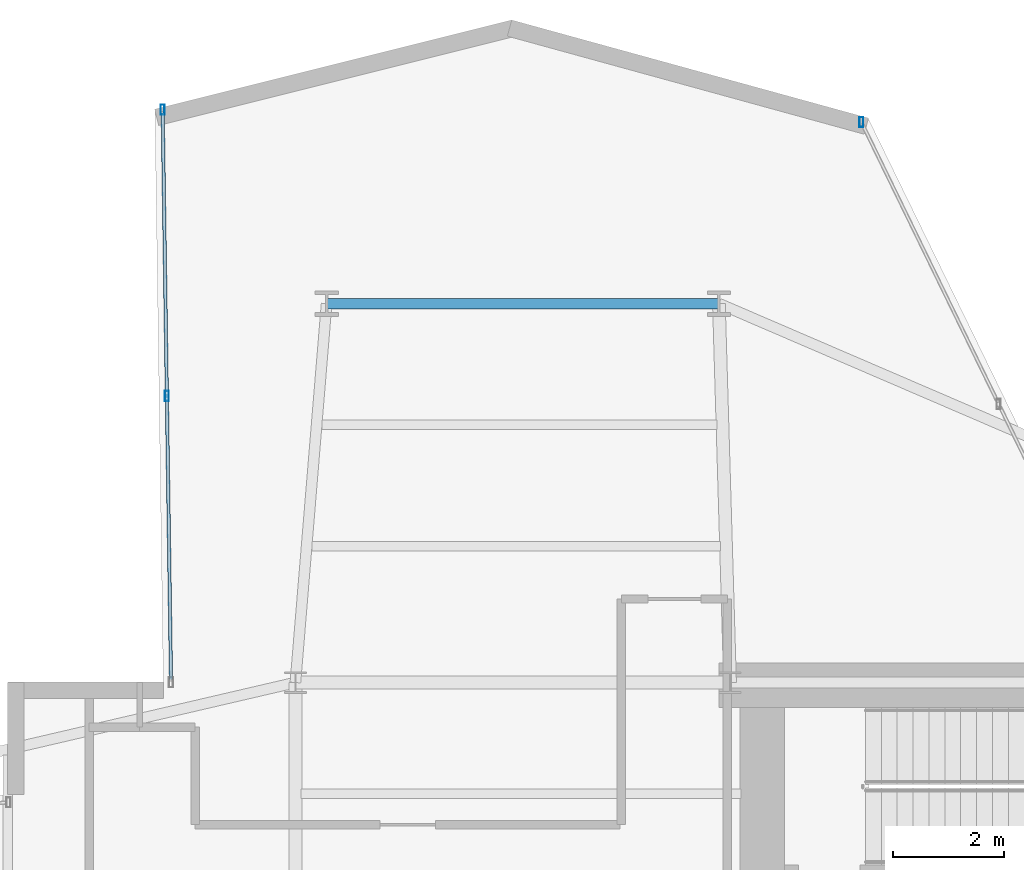
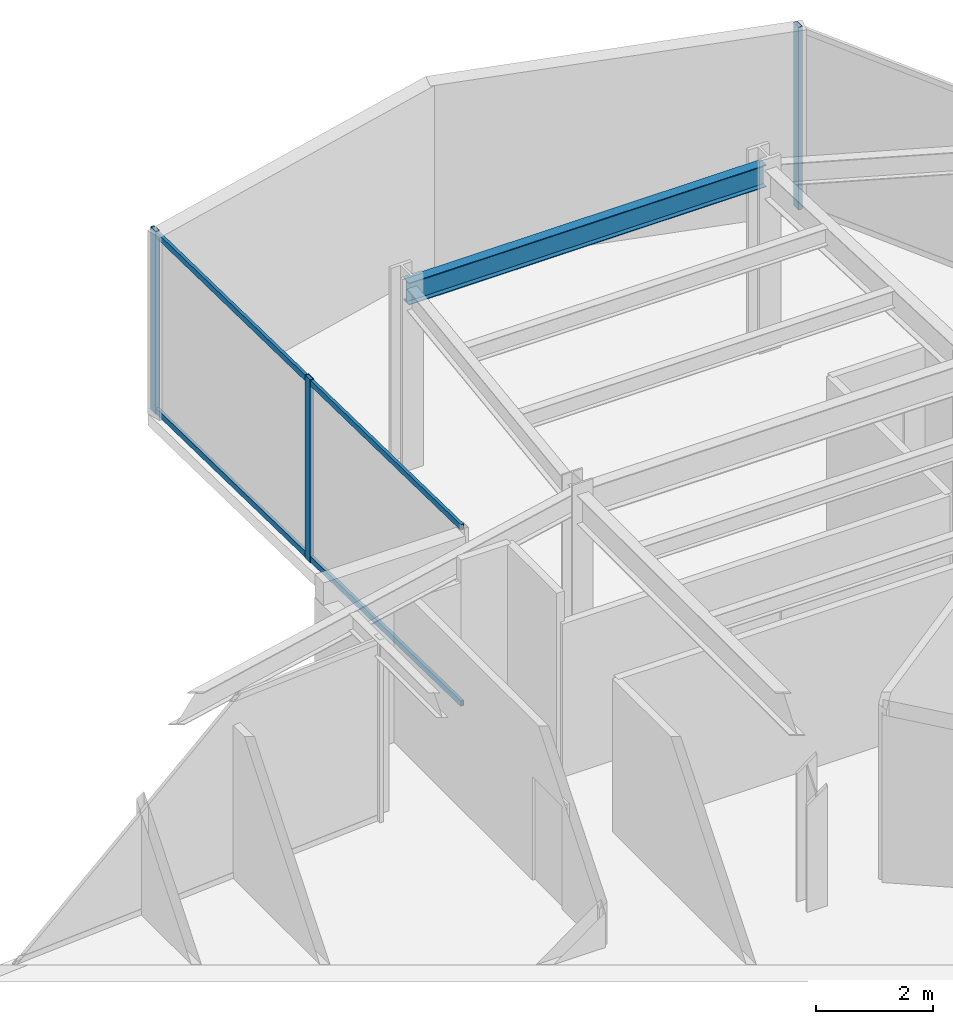
# One storey, part 18 of 25: 5 members, 1 beam, 2 elements without a shape of their own.
"""IFC4 building model written with IfcOpenShell, lengths in metres."""

from ifc_helpers import new_model, si_unit, direction, frame, origin, origin_2d, place, context, subcontext, project, spatial, hollow_rectangle, i_section, extrude, material, layer, layer_set, material_profile, profile_set, type_object, element, aggregate, save


model = new_model("IFC4")

# Units and contexts
model_context = context("Model", 3, precision=1e-05, world=origin(), true_north=direction((0.0, 1.0)))
body_context = subcontext(model_context, "Body", "Model", "MODEL_VIEW")
ifc_project = project(units=[si_unit("LENGTHUNIT", "METRE"), si_unit("AREAUNIT", "SQUARE_METRE"), si_unit("VOLUMEUNIT", "CUBIC_METRE"), si_unit("PLANEANGLEUNIT", "RADIAN"), si_unit("MASSUNIT", "GRAM", prefix="KILO")], contexts=[model_context])

# Site, building, storey
site_placement = place(None, origin())
site = spatial("IfcSite", under=ifc_project, at=site_placement, CompositionType="ELEMENT")
building_placement = place(site_placement, origin())
building = spatial("IfcBuilding", under=site, at=building_placement, Name="Veymaron Broadcast Tower", CompositionType="ELEMENT")
storey_placement = place(building_placement, frame((0.0, 0.0, 116.85009765625)))
storey = spatial("IfcBuildingStorey", under=building, at=storey_placement, Name="L26", CompositionType="ELEMENT", Elevation=116.85009765625)

# Beam
ifc_material_1 = material(Name="Structural steel ASTM A992 Gr 50", Category="steel")
ifc_material_profile_1 = material_profile(ifc_material_1, i_section(OverallWidth=0.19091796875, OverallDepth=0.4599609375, WebThickness=0.010009765625, FlangeThickness=0.01611328125, at=origin_2d()), Name="W460X82")
ifc_profile_set_1 = profile_set([ifc_material_profile_1], Name="Structural steel ASTM A992 Gr 50")
beam_type = type_object("IfcBeamType", Name="BM-SP1", PredefinedType="SPANDREL", material=ifc_profile_set_1)
beam_placement = place(storey_placement, frame((31.760009765625, 38.800048828125, 3.579833984375), z_axis=(1.0, 0.0, 0.0), x_axis=(0.0, 1.0, 0.0)))
element("IfcBeam", 1, at=beam_placement, inside=storey, type_object=beam_type, Name="L26 primary structural floor girder", PredefinedType="SPANDREL", context=body_context, shape_type="SweptSolid", body=[
    extrude(i_section(OverallWidth=0.19091796875, OverallDepth=0.4599609375, WebThickness=0.010009765625, FlangeThickness=0.01611328125, at=origin_2d()), origin(), (0.0, 0.0, 1.0), 7.0400390625),
])

# Curtain wall, member
ifc_material_2 = material(Name="Anodised aluminium AA 6063-T6 and laminated low-E dark glass", Category="aluminium")
ifc_layer = layer(ifc_material_2, 0.179931640625)
ifc_layer_set = layer_set([ifc_layer], Name="Anodised aluminium AA 6063-T6 and laminated low-E dark glass")
curtain_wall_type = type_object("IfcCurtainWallType", Name="CW-SYS-03", PredefinedType="NOTDEFINED", material=ifc_layer_set)
curtain_wall_1_placement = place(storey_placement, origin())
curtain_wall_1 = element("IfcCurtainWall", 2, at=curtain_wall_1_placement, inside=storey, type_object=curtain_wall_type, Name="L26 dark-glass curtain wall CW-L26-E5-1", PredefinedType="NOTDEFINED")
ifc_material_3 = material(Name="Anodised aluminium AA 6063-T6", Category="aluminium")
ifc_material_profile_2 = material_profile(ifc_material_3, hollow_rectangle(XDim=0.074951171875, YDim=0.179931640625, WallThickness=0.0048828125, at=origin_2d()), Name="AL180X75X5")
ifc_profile_set_2 = profile_set([ifc_material_profile_2], Name="Anodised aluminium AA 6063-T6")
member_type_1 = type_object("IfcMemberType", Name="CW-MUL-02", PredefinedType="MULLION", material=ifc_profile_set_2)
member_1_placement = place(storey_placement, frame((41.356201171875, 42.05859375, 0.0), z_axis=(0.0, 0.0, 1.0), x_axis=(1.0, 0.0, 0.0)))
member_1 = element("IfcMember", 3, at=member_1_placement, type_object=member_type_1, Name="CW-L26-E5-1 mullion 2", PredefinedType="MULLION", context=body_context, shape_type="SweptSolid", body=[
    extrude(hollow_rectangle(XDim=0.074951171875, YDim=0.179931640625, WallThickness=0.0048828125, at=origin_2d()), origin(), (0.0, 0.0, 1.0), 3.809814453125),
])
aggregate(curtain_wall_1, [member_1])

# Curtain wall, members
curtain_wall_2_placement = place(storey_placement, origin())
curtain_wall_2 = element("IfcCurtainWall", 4, at=curtain_wall_2_placement, inside=storey, type_object=curtain_wall_type, Name="L26 dark-glass curtain wall CW-L26-E8-1", PredefinedType="NOTDEFINED")
member_2_placement = place(storey_placement, frame((28.81787109375, 42.281982421875, 0.0), z_axis=(0.0, 0.0, 1.0), x_axis=(1.0, 0.0, 0.0)))
member_2 = element("IfcMember", 5, at=member_2_placement, type_object=member_type_1, Name="CW-L26-E8-1 mullion 0", PredefinedType="MULLION", context=body_context, shape_type="SweptSolid", body=[
    extrude(hollow_rectangle(XDim=0.074951171875, YDim=0.179931640625, WallThickness=0.0048828125, at=origin_2d()), origin(), (0.0, 0.0, 1.0), 3.809814453125),
])
member_3_placement = place(storey_placement, frame((28.89306640625, 37.14208984375, 0.0), z_axis=(0.0, 0.0, 1.0), x_axis=(1.0, 0.0, 0.0)))
member_3 = element("IfcMember", 6, at=member_3_placement, type_object=member_type_1, Name="CW-L26-E8-1 mullion 1", PredefinedType="MULLION", context=body_context, shape_type="SweptSolid", body=[
    extrude(hollow_rectangle(XDim=0.074951171875, YDim=0.179931640625, WallThickness=0.0048828125, at=origin_2d()), origin(), (0.0, 0.0, 1.0), 3.809814453125),
])
ifc_material_profile_3 = material_profile(ifc_material_3, hollow_rectangle(XDim=0.06005859375, YDim=0.1201171875, WallThickness=0.00390625, at=origin_2d()), Name="AL120X60X4")
ifc_profile_set_3 = profile_set([ifc_material_profile_3], Name="Anodised aluminium AA 6063-T6")
member_type_2 = type_object("IfcMemberType", Name="CW-TRN-02", PredefinedType="USERDEFINED", material=ifc_profile_set_3)
member_4_placement = place(storey_placement, frame((28.818603515625, 42.23193359375, 0.06982421875), z_axis=(0.014627784613, -0.999893008235, 0.0), x_axis=(0.999893008235, 0.014627784613, 0.0)))
member_4 = element("IfcMember", 7, at=member_4_placement, type_object=member_type_2, Name="CW-L26-E8-1 transom B", ObjectType="TRANSOM", PredefinedType="USERDEFINED", context=body_context, shape_type="SweptSolid", body=[
    extrude(hollow_rectangle(XDim=0.06005859375, YDim=0.1201171875, WallThickness=0.00390625, at=origin_2d()), origin(), (0.0, 0.0, 1.0), 10.180908203125),
])
member_5_placement = place(storey_placement, frame((28.818603515625, 42.23193359375, 3.739990234375), z_axis=(0.014627784613, -0.999893008235, 0.0), x_axis=(0.999893008235, 0.014627784613, 0.0)))
member_5 = element("IfcMember", 8, at=member_5_placement, type_object=member_type_2, Name="CW-L26-E8-1 transom T", ObjectType="TRANSOM", PredefinedType="USERDEFINED", context=body_context, shape_type="SweptSolid", body=[
    extrude(hollow_rectangle(XDim=0.06005859375, YDim=0.1201171875, WallThickness=0.00390625, at=origin_2d()), origin(), (0.0, 0.0, 1.0), 10.180908203125),
])
aggregate(curtain_wall_2, [member_2, member_3, member_4, member_5])

save(model, "model.ifc")
